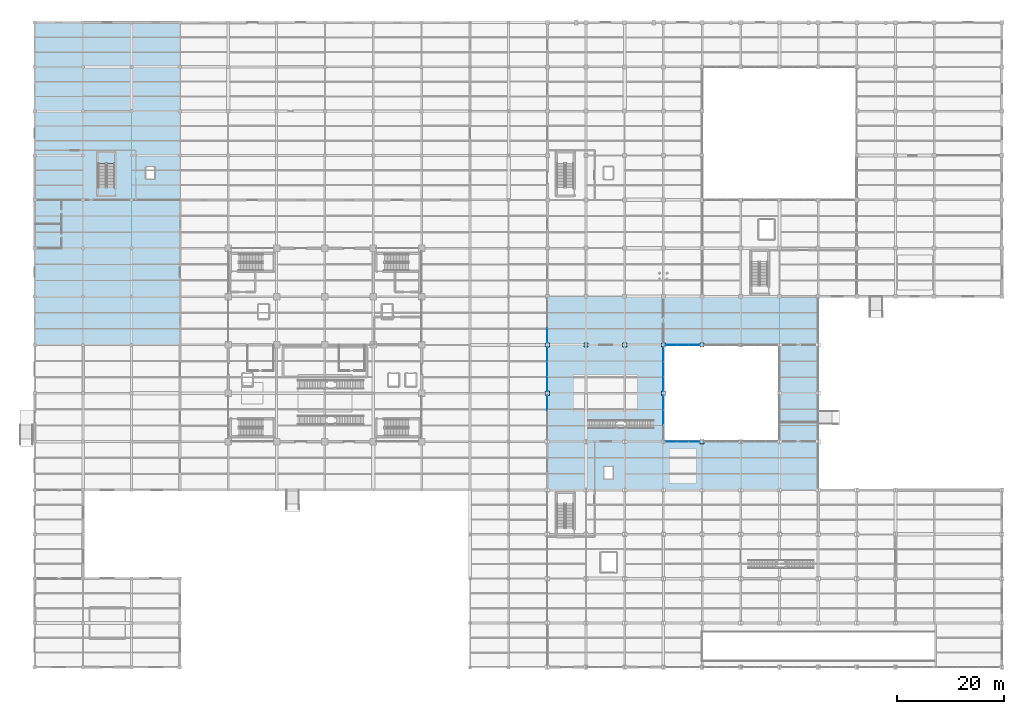
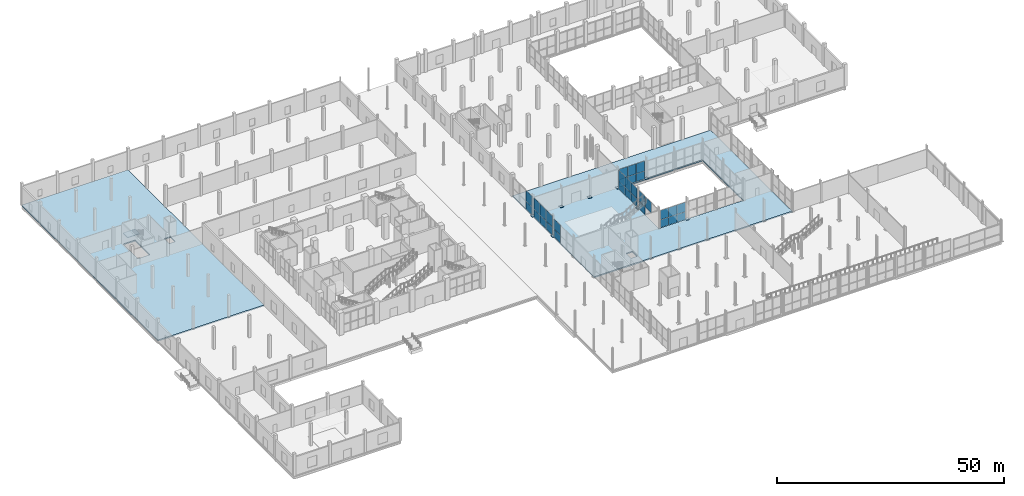
# One storey, part 117 of 144: 39 plates, 3 slabs, 8 elements without a shape of their own.
"""IFC4 building model written with IfcOpenShell, lengths in metres."""

from ifc_helpers import new_model, si_unit, direction, frame, origin, origin_2d, place, context, subcontext, project, spatial, polyline, rectangle, outline, extrude, material, layer, layer_set, type_object, element, aggregate, save


model = new_model("IFC4")

# Units and contexts
model_context = context("Model", 3, precision=1e-05, world=origin(), true_north=direction((0.0, 1.0)))
body_context = subcontext(model_context, "Body", "Model", "MODEL_VIEW")
ifc_project = project(units=[si_unit("LENGTHUNIT", "METRE"), si_unit("AREAUNIT", "SQUARE_METRE"), si_unit("VOLUMEUNIT", "CUBIC_METRE"), si_unit("PLANEANGLEUNIT", "RADIAN"), si_unit("MASSUNIT", "GRAM", prefix="KILO")], contexts=[model_context])

# Site, building, storey
site_placement = place(None, origin())
site = spatial("IfcSite", under=ifc_project, at=site_placement, CompositionType="ELEMENT")
building_placement = place(site_placement, origin())
building = spatial("IfcBuilding", under=site, at=building_placement, Name="Sundgate Opera House", CompositionType="ELEMENT")
storey_placement = place(building_placement, origin())
storey = spatial("IfcBuildingStorey", under=building, at=storey_placement, Name="L00", CompositionType="ELEMENT", Elevation=0.0)

# Curtain wall, plates
ifc_material_1 = material(Name="Anodized aluminium and low-iron glass", Category="aluminium")
ifc_layer_1 = layer(ifc_material_1, 0.159912109375)
ifc_layer_set_1 = layer_set([ifc_layer_1], Name="Anodized aluminium and low-iron glass")
curtain_wall_type = type_object("IfcCurtainWallType", Name="CW-STUDIO-DARK", PredefinedType="NOTDEFINED", material=ifc_layer_set_1)
curtain_wall_1_placement = place(storey_placement, origin())
curtain_wall_1 = element("IfcCurtainWall", 1, at=curtain_wall_1_placement, inside=storey, type_object=curtain_wall_type, Name="L00 Curtain Wall CW028", PredefinedType="NOTDEFINED")
ifc_material_2 = material(Name="Dark solar-control triple acoustic glazing", Category="glass")
ifc_layer_2 = layer(ifc_material_2, 0.031982421875)
ifc_layer_set_2 = layer_set([ifc_layer_2], Name="Dark solar-control triple acoustic glazing")
plate_type_1 = type_object("IfcPlateType", Name="CWP-DARK-32", PredefinedType="CURTAIN_PANEL", material=ifc_layer_set_2)
plate_1_placement = place(storey_placement, frame((95.39990234375, 49.2333984375, 0.02001953125), z_axis=(0.0, 0.0, 1.0), x_axis=(0.0, -1.0, 0.0)))
plate_1 = element("IfcPlate", 2, at=plate_1_placement, type_object=plate_type_1, Name="CW028 Panel 1", PredefinedType="CURTAIN_PANEL", context=body_context, shape_type="SweptSolid", body=[
    extrude(rectangle(XDim=2.693359375, YDim=0.031982421875, at=origin_2d()), origin(), (0.0, 0.0, 1.0), 2.110107421875),
])
plate_2_placement = place(storey_placement, frame((95.39990234375, 49.2333984375, 2.169921875), z_axis=(0.0, 0.0, 1.0), x_axis=(0.0, -1.0, 0.0)))
plate_2 = element("IfcPlate", 3, at=plate_2_placement, type_object=plate_type_1, Name="CW028 Panel 2", PredefinedType="CURTAIN_PANEL", context=body_context, shape_type="SweptSolid", body=[
    extrude(rectangle(XDim=2.693359375, YDim=0.031982421875, at=origin_2d()), origin(), (0.0, 0.0, 1.0), 2.72509765625),
])
aggregate(curtain_wall_1, [plate_1, plate_2])

curtain_wall_2_placement = place(storey_placement, origin())
curtain_wall_2 = element("IfcCurtainWall", 4, at=curtain_wall_2_placement, inside=storey, type_object=curtain_wall_type, Name="L00 Curtain Wall CW030", PredefinedType="NOTDEFINED")
plate_3_placement = place(storey_placement, frame((95.39990234375, 58.2333984375, 0.02001953125), z_axis=(0.0, 0.0, 1.0), x_axis=(0.0, -1.0, 0.0)))
plate_3 = element("IfcPlate", 5, at=plate_3_placement, type_object=plate_type_1, Name="CW030 Panel 1", PredefinedType="CURTAIN_PANEL", context=body_context, shape_type="SweptSolid", body=[
    extrude(rectangle(XDim=2.693359375, YDim=0.031982421875, at=origin_2d()), origin(), (0.0, 0.0, 1.0), 2.110107421875),
])
plate_4_placement = place(storey_placement, frame((95.39990234375, 58.2333984375, 2.169921875), z_axis=(0.0, 0.0, 1.0), x_axis=(0.0, -1.0, 0.0)))
plate_4 = element("IfcPlate", 6, at=plate_4_placement, type_object=plate_type_1, Name="CW030 Panel 2", PredefinedType="CURTAIN_PANEL", context=body_context, shape_type="SweptSolid", body=[
    extrude(rectangle(XDim=2.693359375, YDim=0.031982421875, at=origin_2d()), origin(), (0.0, 0.0, 1.0), 3.034912109375),
])
plate_5_placement = place(storey_placement, frame((95.39990234375, 55.5, 0.02001953125), z_axis=(0.0, 0.0, 1.0), x_axis=(0.0, -1.0, 0.0)))
plate_5 = element("IfcPlate", 7, at=plate_5_placement, type_object=plate_type_1, Name="CW030 Panel 3", PredefinedType="CURTAIN_PANEL", context=body_context, shape_type="SweptSolid", body=[
    extrude(rectangle(XDim=2.693359375, YDim=0.031982421875, at=origin_2d()), origin(), (0.0, 0.0, 1.0), 2.110107421875),
])
plate_6_placement = place(storey_placement, frame((95.39990234375, 55.5, 2.169921875), z_axis=(0.0, 0.0, 1.0), x_axis=(0.0, -1.0, 0.0)))
plate_6 = element("IfcPlate", 8, at=plate_6_placement, type_object=plate_type_1, Name="CW030 Panel 4", PredefinedType="CURTAIN_PANEL", context=body_context, shape_type="SweptSolid", body=[
    extrude(rectangle(XDim=2.693359375, YDim=0.031982421875, at=origin_2d()), origin(), (0.0, 0.0, 1.0), 3.034912109375),
])
plate_7_placement = place(storey_placement, frame((95.39990234375, 52.7666015625, 0.02001953125), z_axis=(0.0, 0.0, 1.0), x_axis=(0.0, -1.0, 0.0)))
plate_7 = element("IfcPlate", 9, at=plate_7_placement, type_object=plate_type_1, Name="CW030 Panel 5", PredefinedType="CURTAIN_PANEL", context=body_context, shape_type="SweptSolid", body=[
    extrude(rectangle(XDim=2.693359375, YDim=0.031982421875, at=origin_2d()), origin(), (0.0, 0.0, 1.0), 2.110107421875),
])
plate_8_placement = place(storey_placement, frame((95.39990234375, 52.7666015625, 2.169921875), z_axis=(0.0, 0.0, 1.0), x_axis=(0.0, -1.0, 0.0)))
plate_8 = element("IfcPlate", 10, at=plate_8_placement, type_object=plate_type_1, Name="CW030 Panel 6", PredefinedType="CURTAIN_PANEL", context=body_context, shape_type="SweptSolid", body=[
    extrude(rectangle(XDim=2.693359375, YDim=0.031982421875, at=origin_2d()), origin(), (0.0, 0.0, 1.0), 3.034912109375),
])
aggregate(curtain_wall_2, [plate_3, plate_4, plate_5, plate_6, plate_7, plate_8])

curtain_wall_3_placement = place(storey_placement, origin())
curtain_wall_3 = element("IfcCurtainWall", 11, at=curtain_wall_3_placement, inside=storey, type_object=curtain_wall_type, Name="L00 Curtain Wall CW032", PredefinedType="NOTDEFINED")
plate_9_placement = place(storey_placement, frame((95.39990234375, 61.75830078125, 0.02001953125), z_axis=(0.0, 0.0, 1.0), x_axis=(0.0, -1.0, 0.0)))
plate_9 = element("IfcPlate", 12, at=plate_9_placement, type_object=plate_type_1, Name="CW032 Panel 5", PredefinedType="CURTAIN_PANEL", context=body_context, shape_type="SweptSolid", body=[
    extrude(rectangle(XDim=2.6767578125, YDim=0.031982421875, at=origin_2d()), origin(), (0.0, 0.0, 1.0), 2.110107421875),
])
plate_10_placement = place(storey_placement, frame((95.39990234375, 61.75830078125, 2.169921875), z_axis=(0.0, 0.0, 1.0), x_axis=(0.0, -1.0, 0.0)))
plate_10 = element("IfcPlate", 13, at=plate_10_placement, type_object=plate_type_1, Name="CW032 Panel 6", PredefinedType="CURTAIN_PANEL", context=body_context, shape_type="SweptSolid", body=[
    extrude(rectangle(XDim=2.6767578125, YDim=0.031982421875, at=origin_2d()), origin(), (0.0, 0.0, 1.0), 2.925048828125),
])
aggregate(curtain_wall_3, [plate_9, plate_10])

curtain_wall_4_placement = place(storey_placement, origin())
curtain_wall_4 = element("IfcCurtainWall", 14, at=curtain_wall_4_placement, inside=storey, type_object=curtain_wall_type, Name="L00 Curtain Wall CW034", PredefinedType="NOTDEFINED")
plate_11_placement = place(storey_placement, frame((118.466552734375, 42.0, 0.02001953125), z_axis=(0.0, 0.0, 1.0), x_axis=(1.0, 0.0, 0.0)))
plate_11 = element("IfcPlate", 15, at=plate_11_placement, type_object=plate_type_1, Name="CW034 Panel 1", PredefinedType="CURTAIN_PANEL", context=body_context, shape_type="SweptSolid", body=[
    extrude(rectangle(XDim=2.09326171875, YDim=0.031982421875, at=origin_2d()), origin(), (0.0, 0.0, 1.0), 2.110107421875),
])
plate_12_placement = place(storey_placement, frame((118.466552734375, 42.0, 2.170166015625), z_axis=(0.0, 0.0, 1.0), x_axis=(1.0, 0.0, 0.0)))
plate_12 = element("IfcPlate", 16, at=plate_12_placement, type_object=plate_type_1, Name="CW034 Panel 2", PredefinedType="CURTAIN_PANEL", context=body_context, shape_type="SweptSolid", body=[
    extrude(rectangle(XDim=2.09326171875, YDim=0.031982421875, at=origin_2d()), origin(), (0.0, 0.0, 1.0), 2.52490234375),
])
plate_13_placement = place(storey_placement, frame((120.60009765625, 42.0, 0.02001953125), z_axis=(0.0, 0.0, 1.0), x_axis=(1.0, 0.0, 0.0)))
plate_13 = element("IfcPlate", 17, at=plate_13_placement, type_object=plate_type_1, Name="CW034 Panel 3", PredefinedType="CURTAIN_PANEL", context=body_context, shape_type="SweptSolid", body=[
    extrude(rectangle(XDim=2.09326171875, YDim=0.031982421875, at=origin_2d()), origin(), (0.0, 0.0, 1.0), 2.110107421875),
])
plate_14_placement = place(storey_placement, frame((120.60009765625, 42.0, 2.170166015625), z_axis=(0.0, 0.0, 1.0), x_axis=(1.0, 0.0, 0.0)))
plate_14 = element("IfcPlate", 18, at=plate_14_placement, type_object=plate_type_1, Name="CW034 Panel 4", PredefinedType="CURTAIN_PANEL", context=body_context, shape_type="SweptSolid", body=[
    extrude(rectangle(XDim=2.09326171875, YDim=0.031982421875, at=origin_2d()), origin(), (0.0, 0.0, 1.0), 2.52490234375),
])
plate_15_placement = place(storey_placement, frame((122.7333984375, 42.0, 0.02001953125), z_axis=(0.0, 0.0, 1.0), x_axis=(1.0, 0.0, 0.0)))
plate_15 = element("IfcPlate", 19, at=plate_15_placement, type_object=plate_type_1, Name="CW034 Panel 5", PredefinedType="CURTAIN_PANEL", context=body_context, shape_type="SweptSolid", body=[
    extrude(rectangle(XDim=2.09326171875, YDim=0.031982421875, at=origin_2d()), origin(), (0.0, 0.0, 1.0), 2.110107421875),
])
plate_16_placement = place(storey_placement, frame((122.7333984375, 42.0, 2.170166015625), z_axis=(0.0, 0.0, 1.0), x_axis=(1.0, 0.0, 0.0)))
plate_16 = element("IfcPlate", 20, at=plate_16_placement, type_object=plate_type_1, Name="CW034 Panel 6", PredefinedType="CURTAIN_PANEL", context=body_context, shape_type="SweptSolid", body=[
    extrude(rectangle(XDim=2.09326171875, YDim=0.031982421875, at=origin_2d()), origin(), (0.0, 0.0, 1.0), 2.52490234375),
])
aggregate(curtain_wall_4, [plate_11, plate_12, plate_13, plate_14, plate_15, plate_16])

curtain_wall_5_placement = place(storey_placement, origin())
curtain_wall_5 = element("IfcCurtainWall", 21, at=curtain_wall_5_placement, inside=storey, type_object=curtain_wall_type, Name="L00 Curtain Wall CW035", PredefinedType="NOTDEFINED")
plate_17_placement = place(storey_placement, frame((122.7333984375, 60.0, 0.02001953125), z_axis=(0.0, 0.0, 1.0), x_axis=(-1.0, 0.0, 0.0)))
plate_17 = element("IfcPlate", 22, at=plate_17_placement, type_object=plate_type_1, Name="CW035 Panel 1", PredefinedType="CURTAIN_PANEL", context=body_context, shape_type="SweptSolid", body=[
    extrude(rectangle(XDim=2.09326171875, YDim=0.031982421875, at=origin_2d()), origin(), (0.0, 0.0, 1.0), 2.110107421875),
])
plate_18_placement = place(storey_placement, frame((122.7333984375, 60.0, 2.169921875), z_axis=(0.0, 0.0, 1.0), x_axis=(-1.0, 0.0, 0.0)))
plate_18 = element("IfcPlate", 23, at=plate_18_placement, type_object=plate_type_1, Name="CW035 Panel 2", PredefinedType="CURTAIN_PANEL", context=body_context, shape_type="SweptSolid", body=[
    extrude(rectangle(XDim=2.09326171875, YDim=0.031982421875, at=origin_2d()), origin(), (0.0, 0.0, 1.0), 2.72509765625),
])
plate_19_placement = place(storey_placement, frame((120.60009765625, 60.0, 0.02001953125), z_axis=(0.0, 0.0, 1.0), x_axis=(-1.0, 0.0, 0.0)))
plate_19 = element("IfcPlate", 24, at=plate_19_placement, type_object=plate_type_1, Name="CW035 Panel 3", PredefinedType="CURTAIN_PANEL", context=body_context, shape_type="SweptSolid", body=[
    extrude(rectangle(XDim=2.09326171875, YDim=0.031982421875, at=origin_2d()), origin(), (0.0, 0.0, 1.0), 2.110107421875),
])
plate_20_placement = place(storey_placement, frame((120.60009765625, 60.0, 2.169921875), z_axis=(0.0, 0.0, 1.0), x_axis=(-1.0, 0.0, 0.0)))
plate_20 = element("IfcPlate", 25, at=plate_20_placement, type_object=plate_type_1, Name="CW035 Panel 4", PredefinedType="CURTAIN_PANEL", context=body_context, shape_type="SweptSolid", body=[
    extrude(rectangle(XDim=2.09326171875, YDim=0.031982421875, at=origin_2d()), origin(), (0.0, 0.0, 1.0), 2.72509765625),
])
plate_21_placement = place(storey_placement, frame((118.466552734375, 60.0, 0.02001953125), z_axis=(0.0, 0.0, 1.0), x_axis=(-1.0, 0.0, 0.0)))
plate_21 = element("IfcPlate", 26, at=plate_21_placement, type_object=plate_type_1, Name="CW035 Panel 5", PredefinedType="CURTAIN_PANEL", context=body_context, shape_type="SweptSolid", body=[
    extrude(rectangle(XDim=2.09326171875, YDim=0.031982421875, at=origin_2d()), origin(), (0.0, 0.0, 1.0), 2.110107421875),
])
plate_22_placement = place(storey_placement, frame((118.466552734375, 60.0, 2.169921875), z_axis=(0.0, 0.0, 1.0), x_axis=(-1.0, 0.0, 0.0)))
plate_22 = element("IfcPlate", 27, at=plate_22_placement, type_object=plate_type_1, Name="CW035 Panel 6", PredefinedType="CURTAIN_PANEL", context=body_context, shape_type="SweptSolid", body=[
    extrude(rectangle(XDim=2.09326171875, YDim=0.031982421875, at=origin_2d()), origin(), (0.0, 0.0, 1.0), 2.72509765625),
])
aggregate(curtain_wall_5, [plate_17, plate_18, plate_19, plate_20, plate_21, plate_22])

curtain_wall_6_placement = place(storey_placement, origin())
curtain_wall_6 = element("IfcCurtainWall", 28, at=curtain_wall_6_placement, inside=storey, type_object=curtain_wall_type, Name="L00 Curtain Wall CW040", PredefinedType="NOTDEFINED")
plate_23_placement = place(storey_placement, frame((117.0, 46.5, 2.169921875), z_axis=(0.0, 0.0, 1.0), x_axis=(0.0, 1.0, 0.0)))
plate_23 = element("IfcPlate", 29, at=plate_23_placement, type_object=plate_type_1, Name="CW040 Panel 4", PredefinedType="CURTAIN_PANEL", context=body_context, shape_type="SweptSolid", body=[
    extrude(rectangle(XDim=2.693359375, YDim=0.031982421875, at=origin_2d()), origin(), (0.0, 0.0, 1.0), 2.875),
])
plate_24_placement = place(storey_placement, frame((117.0, 49.2333984375, 0.02001953125), z_axis=(0.0, 0.0, 1.0), x_axis=(0.0, 1.0, 0.0)))
plate_24 = element("IfcPlate", 30, at=plate_24_placement, type_object=plate_type_1, Name="CW040 Panel 5", PredefinedType="CURTAIN_PANEL", context=body_context, shape_type="SweptSolid", body=[
    extrude(rectangle(XDim=2.693359375, YDim=0.031982421875, at=origin_2d()), origin(), (0.0, 0.0, 1.0), 2.110107421875),
])
plate_25_placement = place(storey_placement, frame((117.0, 49.2333984375, 2.169921875), z_axis=(0.0, 0.0, 1.0), x_axis=(0.0, 1.0, 0.0)))
plate_25 = element("IfcPlate", 31, at=plate_25_placement, type_object=plate_type_1, Name="CW040 Panel 6", PredefinedType="CURTAIN_PANEL", context=body_context, shape_type="SweptSolid", body=[
    extrude(rectangle(XDim=2.693359375, YDim=0.031982421875, at=origin_2d()), origin(), (0.0, 0.0, 1.0), 2.875),
])
aggregate(curtain_wall_6, [plate_23, plate_24, plate_25])

curtain_wall_7_placement = place(storey_placement, origin())
curtain_wall_7 = element("IfcCurtainWall", 32, at=curtain_wall_7_placement, inside=storey, type_object=curtain_wall_type, Name="L00 Curtain Wall CW042", PredefinedType="NOTDEFINED")
plate_26_placement = place(storey_placement, frame((117.0, 52.7666015625, 0.02001953125), z_axis=(0.0, 0.0, 1.0), x_axis=(0.0, 1.0, 0.0)))
plate_26 = element("IfcPlate", 33, at=plate_26_placement, type_object=plate_type_1, Name="CW042 Panel 1", PredefinedType="CURTAIN_PANEL", context=body_context, shape_type="SweptSolid", body=[
    extrude(rectangle(XDim=2.693359375, YDim=0.031982421875, at=origin_2d()), origin(), (0.0, 0.0, 1.0), 2.110107421875),
])
plate_27_placement = place(storey_placement, frame((117.0, 52.7666015625, 2.169921875), z_axis=(0.0, 0.0, 1.0), x_axis=(0.0, 1.0, 0.0)))
plate_27 = element("IfcPlate", 34, at=plate_27_placement, type_object=plate_type_1, Name="CW042 Panel 2", PredefinedType="CURTAIN_PANEL", context=body_context, shape_type="SweptSolid", body=[
    extrude(rectangle(XDim=2.693359375, YDim=0.031982421875, at=origin_2d()), origin(), (0.0, 0.0, 1.0), 2.875),
])
plate_28_placement = place(storey_placement, frame((117.0, 55.5, 0.02001953125), z_axis=(0.0, 0.0, 1.0), x_axis=(0.0, 1.0, 0.0)))
plate_28 = element("IfcPlate", 35, at=plate_28_placement, type_object=plate_type_1, Name="CW042 Panel 3", PredefinedType="CURTAIN_PANEL", context=body_context, shape_type="SweptSolid", body=[
    extrude(rectangle(XDim=2.693359375, YDim=0.031982421875, at=origin_2d()), origin(), (0.0, 0.0, 1.0), 2.110107421875),
])
plate_29_placement = place(storey_placement, frame((117.0, 55.5, 2.169921875), z_axis=(0.0, 0.0, 1.0), x_axis=(0.0, 1.0, 0.0)))
plate_29 = element("IfcPlate", 36, at=plate_29_placement, type_object=plate_type_1, Name="CW042 Panel 4", PredefinedType="CURTAIN_PANEL", context=body_context, shape_type="SweptSolid", body=[
    extrude(rectangle(XDim=2.693359375, YDim=0.031982421875, at=origin_2d()), origin(), (0.0, 0.0, 1.0), 2.875),
])
plate_30_placement = place(storey_placement, frame((117.0, 58.2333984375, 0.02001953125), z_axis=(0.0, 0.0, 1.0), x_axis=(0.0, 1.0, 0.0)))
plate_30 = element("IfcPlate", 37, at=plate_30_placement, type_object=plate_type_1, Name="CW042 Panel 5", PredefinedType="CURTAIN_PANEL", context=body_context, shape_type="SweptSolid", body=[
    extrude(rectangle(XDim=2.693359375, YDim=0.031982421875, at=origin_2d()), origin(), (0.0, 0.0, 1.0), 2.110107421875),
])
plate_31_placement = place(storey_placement, frame((117.0, 58.2333984375, 2.169921875), z_axis=(0.0, 0.0, 1.0), x_axis=(0.0, 1.0, 0.0)))
plate_31 = element("IfcPlate", 38, at=plate_31_placement, type_object=plate_type_1, Name="CW042 Panel 6", PredefinedType="CURTAIN_PANEL", context=body_context, shape_type="SweptSolid", body=[
    extrude(rectangle(XDim=2.693359375, YDim=0.031982421875, at=origin_2d()), origin(), (0.0, 0.0, 1.0), 2.875),
])
aggregate(curtain_wall_7, [plate_26, plate_27, plate_28, plate_29, plate_30, plate_31])

# Plates
ifc_material_3 = material(Name="Steel S355J2", Category="steel")
ifc_layer_3 = layer(ifc_material_3, 0.02587890625)
ifc_layer_set_3 = layer_set([ifc_layer_3], Name="Steel S355J2")
plate_type_2 = type_object("IfcPlateType", Name="PT-BAS-26", PredefinedType="USERDEFINED", material=ifc_layer_set_3)
plate_32_placement = place(storey_placement, frame((95.39990234375, 60.0, 0.0), z_axis=(0.0, 0.0, 1.0), x_axis=(1.0, 0.0, 0.0)))
element("IfcPlate", 39, at=plate_32_placement, inside=storey, type_object=plate_type_2, Name="L00 Base Plate PT0230", ObjectType="BASE PLATE", PredefinedType="USERDEFINED", context=body_context, shape_type="SweptSolid", body=[
    extrude(rectangle(XDim=0.7900390625, YDim=0.7900390625, at=origin_2d()), origin(), (0.0, 0.0, 1.0), 0.02587890625),
])
ifc_material_4 = material(Name="Steel S355J2", Category="steel")
ifc_layer_4 = layer(ifc_material_4, 0.030029296875)
ifc_layer_set_4 = layer_set([ifc_layer_4], Name="Steel S355J2")
plate_type_3 = type_object("IfcPlateType", Name="PT-BAS-30", PredefinedType="USERDEFINED", material=ifc_layer_set_4)
plate_33_placement = place(storey_placement, frame((124.199951171875, 60.0, 0.0), z_axis=(0.0, 0.0, 1.0), x_axis=(1.0, 0.0, 0.0)))
element("IfcPlate", 40, at=plate_33_placement, inside=storey, type_object=plate_type_3, Name="L00 Base Plate PT0309", ObjectType="BASE PLATE", PredefinedType="USERDEFINED", context=body_context, shape_type="SweptSolid", body=[
    extrude(rectangle(XDim=0.7900390625, YDim=0.7900390625, at=origin_2d()), origin(), (0.0, 0.0, 1.0), 0.030029296875),
])
ifc_material_5 = material(Name="Steel S355J2", Category="steel")
ifc_layer_5 = layer(ifc_material_5, 0.035888671875)
ifc_layer_set_5 = layer_set([ifc_layer_5], Name="Steel S355J2")
plate_type_4 = type_object("IfcPlateType", Name="PT-BAS-36", PredefinedType="USERDEFINED", material=ifc_layer_set_5)
plate_34_placement = place(storey_placement, frame((102.60009765625, 60.0, 0.0), z_axis=(0.0, 0.0, 1.0), x_axis=(1.0, 0.0, 0.0)))
element("IfcPlate", 41, at=plate_34_placement, inside=storey, type_object=plate_type_4, Name="L00 Base Plate PT0249", ObjectType="BASE PLATE", PredefinedType="USERDEFINED", context=body_context, shape_type="SweptSolid", body=[
    extrude(rectangle(XDim=0.7900390625, YDim=0.7900390625, at=origin_2d()), origin(), (0.0, 0.0, 1.0), 0.035888671875),
])
ifc_material_6 = material(Name="Steel S355J2", Category="steel")
ifc_layer_6 = layer(ifc_material_6, 0.050048828125)
ifc_layer_set_6 = layer_set([ifc_layer_6], Name="Steel S355J2")
plate_type_5 = type_object("IfcPlateType", Name="PT-BAS-50", PredefinedType="USERDEFINED", material=ifc_layer_set_6)
plate_35_placement = place(storey_placement, frame((109.800048828125, 60.0, 0.0), z_axis=(0.0, 0.0, 1.0), x_axis=(1.0, 0.0, 0.0)))
element("IfcPlate", 42, at=plate_35_placement, inside=storey, type_object=plate_type_5, Name="L00 Base Plate PT0268", ObjectType="BASE PLATE", PredefinedType="USERDEFINED", context=body_context, shape_type="SweptSolid", body=[
    extrude(rectangle(XDim=0.7900390625, YDim=0.7900390625, at=origin_2d()), origin(), (0.0, 0.0, 1.0), 0.050048828125),
])
ifc_material_7 = material(Name="Steel S355J2", Category="steel")
ifc_layer_7 = layer(ifc_material_7, 0.055908203125)
ifc_layer_set_7 = layer_set([ifc_layer_7], Name="Steel S355J2")
plate_type_6 = type_object("IfcPlateType", Name="PT-BAS-56", PredefinedType="USERDEFINED", material=ifc_layer_set_7)
for number, where, z_axis, x_axis, name in (
    (43, (95.39990234375, 51.0, 0.0), (0.0, 0.0, 1.0), (1.0, 0.0, 0.0), "L00 Base Plate PT0227"),
    (44, (124.199951171875, 42.0, 0.0), (0.0, 0.0, 1.0), (1.0, 0.0, 0.0), "L00 Base Plate PT0306"),
):
    element("IfcPlate", number, at=place(storey_placement, frame(where, z_axis=z_axis, x_axis=x_axis)), inside=storey, type_object=plate_type_6, Name=name, ObjectType="BASE PLATE", PredefinedType="USERDEFINED", context=body_context, shape_type="SweptSolid", body=[
        extrude(rectangle(XDim=0.7900390625, YDim=0.7900390625, at=origin_2d()), origin(), (0.0, 0.0, 1.0), 0.055908203125),
    ])
ifc_material_8 = material(Name="Steel S355J2", Category="steel")
ifc_layer_8 = layer(ifc_material_8, 0.06201171875)
ifc_layer_set_8 = layer_set([ifc_layer_8], Name="Steel S355J2")
plate_type_7 = type_object("IfcPlateType", Name="PT-BAS-62", PredefinedType="USERDEFINED", material=ifc_layer_set_8)
plate_36_placement = place(storey_placement, frame((117.0, 60.0, 0.0), z_axis=(0.0, 0.0, 1.0), x_axis=(1.0, 0.0, 0.0)))
element("IfcPlate", 45, at=plate_36_placement, inside=storey, type_object=plate_type_7, Name="L00 Base Plate PT0290", ObjectType="BASE PLATE", PredefinedType="USERDEFINED", context=body_context, shape_type="SweptSolid", body=[
    extrude(rectangle(XDim=0.7900390625, YDim=0.7900390625, at=origin_2d()), origin(), (0.0, 0.0, 1.0), 0.06201171875),
])
ifc_material_9 = material(Name="Steel S355J2", Category="steel")
ifc_layer_9 = layer(ifc_material_9, 0.068115234375)
ifc_layer_set_9 = layer_set([ifc_layer_9], Name="Steel S355J2")
plate_type_8 = type_object("IfcPlateType", Name="PT-BAS-68", PredefinedType="USERDEFINED", material=ifc_layer_set_9)
plate_37_placement = place(storey_placement, frame((117.0, 51.0, 0.0), z_axis=(0.0, 0.0, 1.0), x_axis=(1.0, 0.0, 0.0)))
element("IfcPlate", 46, at=plate_37_placement, inside=storey, type_object=plate_type_8, Name="L00 Base Plate PT0287", ObjectType="BASE PLATE", PredefinedType="USERDEFINED", context=body_context, shape_type="SweptSolid", body=[
    extrude(rectangle(XDim=0.7900390625, YDim=0.7900390625, at=origin_2d()), origin(), (0.0, 0.0, 1.0), 0.068115234375),
])

# Slabs
ifc_material_10 = material(Name="Concrete C40/50", Category="concrete")
ifc_layer_10 = layer(ifc_material_10, 0.320068359375)
ifc_layer_set_10 = layer_set([ifc_layer_10], Name="Concrete C40/50")
slab_type_1 = type_object("IfcSlabType", Name="SL-FLR-320", PredefinedType="FLOOR", material=ifc_layer_set_10)
slab_1_placement = place(storey_placement, frame((0.0, 0.0, -0.320068359375)))
element("IfcSlab", 47, at=slab_1_placement, inside=storey, type_object=slab_type_1, Name="L00 Structural Floor Slab V2", PredefinedType="FLOOR", context=body_context, shape_type="SweptSolid", body=[
    extrude(outline(polyline([(95.39990234375, 33.0), (145.800048828125, 33.0), (145.800048828125, 69.0), (95.39990234375, 69.0), (95.39990234375, 33.0)]), holes=[polyline([(117.0, 60.0), (138.60009765625, 60.0), (138.60009765625, 42.0), (117.0, 42.0), (117.0, 60.0)]), polyline([(106.02001953125, 37.280029296875), (107.580078125, 37.280029296875), (107.580078125, 35.1201171875), (106.02001953125, 35.1201171875), (106.02001953125, 37.280029296875)])]), origin(), (0.0, 0.0, 1.0), 0.320068359375),
])
slab_2_placement = place(storey_placement, frame((0.0, 0.0, -0.320068359375)))
element("IfcSlab", 48, at=slab_2_placement, inside=storey, type_object=slab_type_1, Name="L00 Structural Floor Slab V6", PredefinedType="FLOOR", context=body_context, shape_type="SweptSolid", body=[
    extrude(outline(polyline([(0.0, 60.0), (27.0, 60.0), (27.0, 120.0), (0.0, 120.0), (0.0, 60.0)]), holes=[polyline([(11.800048828125, 95.800048828125), (14.85009765625, 95.800048828125), (14.85009765625, 89.35009765625), (11.800048828125, 89.35009765625), (11.800048828125, 95.800048828125)]), polyline([(20.719970703125, 93.080078125), (22.280029296875, 93.080078125), (22.280029296875, 90.919921875), (20.719970703125, 90.919921875), (20.719970703125, 93.080078125)])]), origin(), (0.0, 0.0, 1.0), 0.320068359375),
])

# Stair, slab
ifc_material_11 = material(Name="Concrete C35/45", Category="concrete")
stair_type = type_object("IfcStairType", Name="ST-HT-34R-1450", PredefinedType="HALF_TURN_STAIR", material=ifc_material_11)
stair_placement = place(storey_placement, origin())
stair = element("IfcStair", 49, at=stair_placement, inside=storey, type_object=stair_type, Name="L00 Escape Stair ST-08", PredefinedType="HALF_TURN_STAIR")
ifc_material_12 = material(Name="Concrete C35/45", Category="concrete")
ifc_layer_11 = layer(ifc_material_12, 0.199951171875)
ifc_layer_set_11 = layer_set([ifc_layer_11], Name="Concrete C35/45")
slab_type_2 = type_object("IfcSlabType", Name="SL-LAND-200", PredefinedType="LANDING", material=ifc_layer_set_11)
slab_3_placement = place(storey_placement, frame((0.0, 0.0, 2.800048828125)))
slab_3 = element("IfcSlab", 50, at=slab_3_placement, type_object=slab_type_2, Name="ST08L00 Landing 1", PredefinedType="LANDING", context=body_context, shape_type="SweptSolid", body=[
    extrude(outline(polyline([(14.85009765625, 93.780029296875), (14.85009765625, 95.800048828125), (11.800048828125, 95.800048828125), (11.800048828125, 93.780029296875), (14.85009765625, 93.780029296875)])), origin(), (0.0, 0.0, 1.0), 0.199951171875),
])
aggregate(stair, [slab_3])

save(model, "model.ifc")
